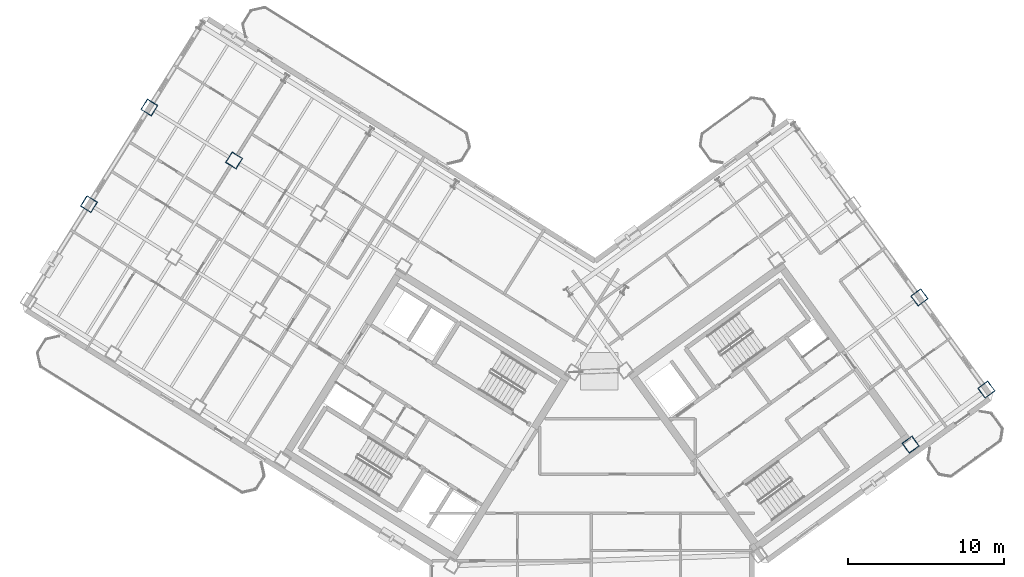
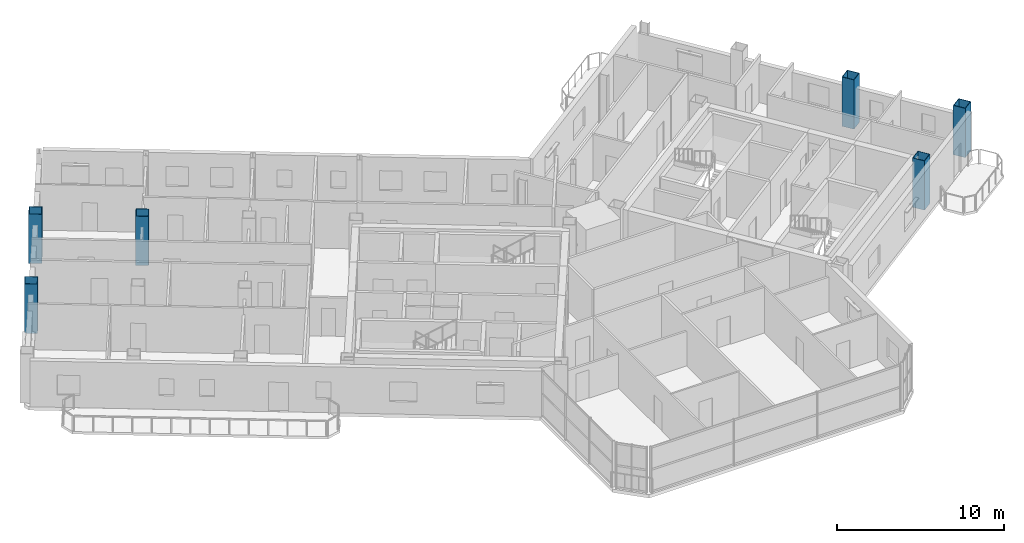
# One storey, part 2 of 23: 6 columns.
"""IFC4 building model written with IfcOpenShell, lengths in metres."""

from ifc_helpers import new_model, si_unit, direction, frame, origin, origin_2d, place, context, subcontext, project, spatial, hollow_rectangle, extrude, source, transform, mapped, material, material_profile, profile_set, type_object, element, save


model = new_model("IFC4")

# Units and contexts
model_context = context("Model", 3, precision=1e-05, world=origin(), true_north=direction((0.0, 1.0)))
body_context = subcontext(model_context, "Body", "Model", "MODEL_VIEW")
ifc_project = project(units=[si_unit("LENGTHUNIT", "METRE"), si_unit("AREAUNIT", "SQUARE_METRE"), si_unit("VOLUMEUNIT", "CUBIC_METRE"), si_unit("PLANEANGLEUNIT", "RADIAN"), si_unit("MASSUNIT", "GRAM", prefix="KILO")], contexts=[model_context])

# Site, building, storey
site_placement = place(None, origin())
site = spatial("IfcSite", under=ifc_project, at=site_placement, CompositionType="ELEMENT")
building_placement = place(site_placement, origin())
building = spatial("IfcBuilding", under=site, at=building_placement, Name="Tlacorven Tower", CompositionType="ELEMENT")
storey_placement = place(building_placement, frame((0.0, 0.0, 218.39990234375)))
storey = spatial("IfcBuildingStorey", under=building, at=storey_placement, Name="L55", CompositionType="ELEMENT", Elevation=218.39990234375)

# Columns
ifc_material = material(Name="Steel S460M", Category="steel")
ifc_material_profile = material_profile(ifc_material, hollow_rectangle(XDim=0.800048828125, YDim=0.800048828125, WallThickness=0.031982421875, at=origin_2d()), Name="BOX 800X800X32")
ifc_profile_set = profile_set([ifc_material_profile], Name="Steel S460M")
column_type = type_object("IfcColumnType", Name="COL-TWR-S3", PredefinedType="COLUMN", material=ifc_profile_set)
shared_shape = source(origin(), body_context, "Body", "SweptSolid", [
    extrude(hollow_rectangle(XDim=0.800048828125, YDim=0.800048828125, WallThickness=0.031982421875, at=origin_2d()), origin(), (0.0, 0.0, 1.0), 3.60009765625),
])
for number, where, z_axis, x_axis, name in (
    (1, (19.072998046875, 38.034423828125, 0.0), (0.0, 0.0, 1.0), (-0.848048096156, 0.529919264233, 0.0), "L55 column COL-L55-W5-2"),
    (2, (13.6455078125, 41.42578125, 0.0), (0.0, 0.0, 1.0), (-0.848048096156, 0.529919264233, 0.0), "L55 column COL-L55-W6-2"),
    (3, (9.777099609375, 35.235107421875, 0.0), (0.0, 0.0, 1.0), (-0.848048096156, 0.529919264233, 0.0), "L55 column COL-L55-W6-3"),
    (4, (62.41357421875, 19.826904296875, 0.0), (0.0, 0.0, 1.0), (0.809016994375, 0.587785252292, 0.0), "L55 column COL-L55-E3-1"),
    (5, (67.267822265625, 23.353515625, 0.0), (0.0, 0.0, 1.0), (0.809016994375, 0.587785252292, 0.0), "L55 column COL-L55-E4-1"),
    (6, (62.976806640625, 29.25927734375, 0.0), (0.0, 0.0, 1.0), (0.809016994375, 0.587785252292, 0.0), "L55 column COL-L55-E4-2"),
):
    element("IfcColumn", number, at=place(storey_placement, frame(where, z_axis=z_axis, x_axis=x_axis)), inside=storey, type_object=column_type, Name=name, PredefinedType="COLUMN", context=body_context, shape_type="MappedRepresentation", body=[
        mapped(shared_shape, transform((0.0, 0.0, 0.0), scale=1.0)),
    ])

save(model, "model.ifc")
